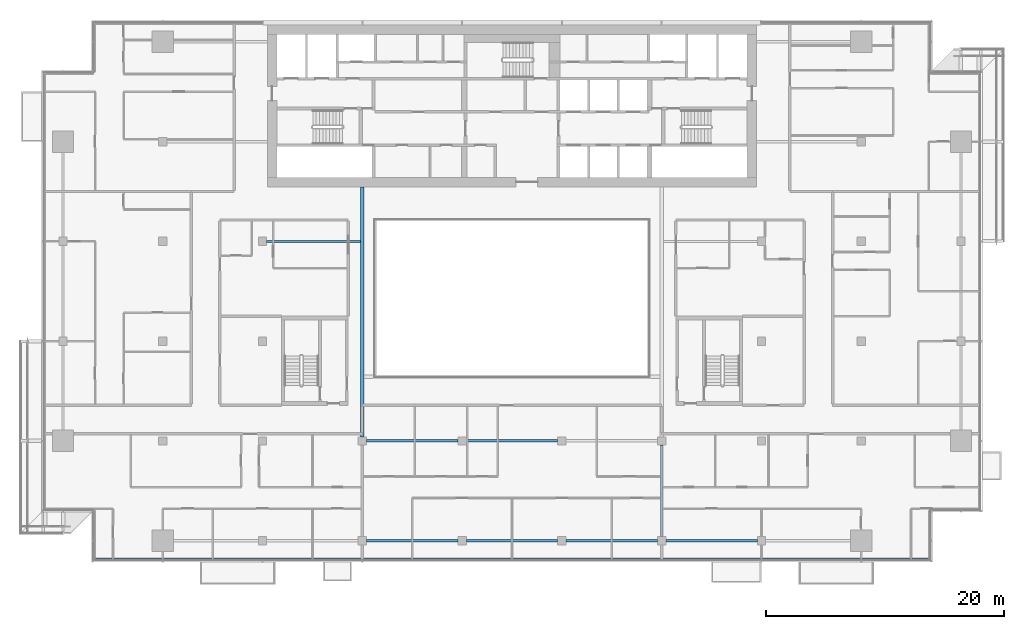
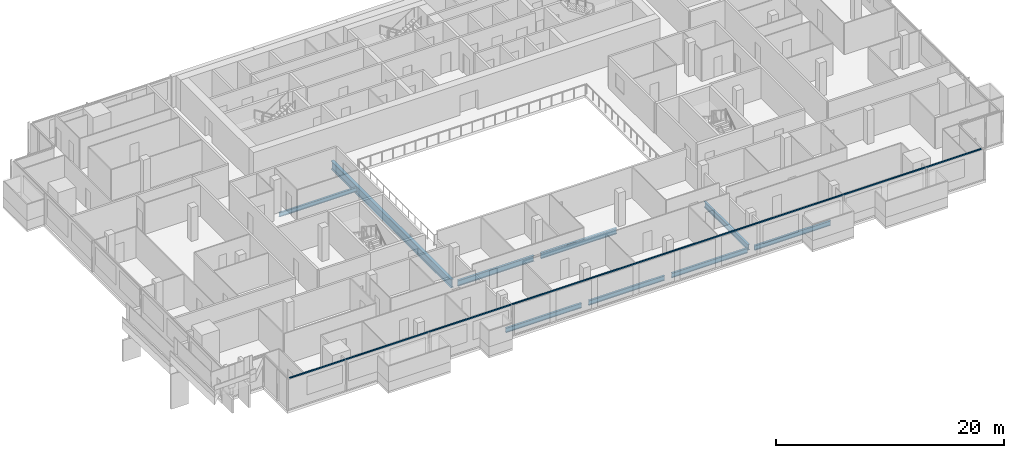
# One storey, part 5 of 30: 9 beams, 1 member, 1 element without a shape of its own.
"""IFC4 building model written with IfcOpenShell, lengths in metres."""

from ifc_helpers import new_model, si_unit, direction, frame, origin, origin_2d, place, context, subcontext, project, spatial, rectangle, i_section, extrude, material, material_profile, profile_set, type_object, element, aggregate, save


model = new_model("IFC4")

# Units and contexts
model_context = context("Model", 3, precision=1e-05, world=origin(), true_north=direction((0.0, 1.0)))
body_context = subcontext(model_context, "Body", "Model", "MODEL_VIEW")
ifc_project = project(units=[si_unit("LENGTHUNIT", "METRE"), si_unit("AREAUNIT", "SQUARE_METRE"), si_unit("VOLUMEUNIT", "CUBIC_METRE"), si_unit("PLANEANGLEUNIT", "RADIAN"), si_unit("MASSUNIT", "GRAM", prefix="KILO")], contexts=[model_context])

# Site, building, storey
site_placement = place(None, origin())
site = spatial("IfcSite", under=ifc_project, at=site_placement, CompositionType="ELEMENT")
building_placement = place(site_placement, origin())
building = spatial("IfcBuilding", under=site, at=building_placement, Name="Saffron Gate Tower", CompositionType="ELEMENT")
storey_placement = place(building_placement, frame((0.0, 0.0, 165.449951171875)))
storey = spatial("IfcBuildingStorey", under=building, at=storey_placement, Name="L40", CompositionType="ELEMENT", Elevation=165.449951171875)

# Beams
ifc_material_1 = material(Name="Structural steel S355", Category="steel")
ifc_material_profile_1 = material_profile(ifc_material_1, i_section(OverallWidth=0.199951171875, OverallDepth=0.5, WebThickness=0.01025390625, FlangeThickness=0.01611328125, FilletRadius=0.02099609375, at=origin_2d()))
ifc_profile_set_1 = profile_set([ifc_material_profile_1], Name="Structural steel S355")
beam_type_1 = type_object("IfcBeamType", Name="B11 IPE 500", PredefinedType="SPANDREL", material=ifc_profile_set_1)
for number, where, z_axis, x_axis, name in (
    (1, (75.35009765625, 31.800048828125, -0.530029296875), (1.0, 0.0, 0.0), (0.0, 1.0, 0.0), "B11 SPANDREL BEAM"),
    (2, (83.75, 31.800048828125, -0.530029296875), (1.0, 0.0, 0.0), (0.0, 1.0, 0.0), "B11 SPANDREL BEAM"),
):
    element("IfcBeam", number, at=place(storey_placement, frame(where, z_axis=z_axis, x_axis=x_axis)), inside=storey, type_object=beam_type_1, Name=name, PredefinedType="SPANDREL", context=body_context, shape_type="SweptSolid", body=[
        extrude(i_section(OverallWidth=0.199951171875, OverallDepth=0.5, WebThickness=0.01025390625, FlangeThickness=0.01611328125, FilletRadius=0.02099609375, at=origin_2d()), origin(), (0.0, 0.0, 1.0), 7.699951171875),
    ])
beam_1_placement = place(storey_placement, frame((92.14990234375, 31.800048828125, -0.530029296875), z_axis=(1.0, 0.0, 0.0), x_axis=(0.0, 1.0, 0.0)))
element("IfcBeam", 3, at=beam_1_placement, inside=storey, type_object=beam_type_1, Name="B11 SPANDREL BEAM", PredefinedType="SPANDREL", context=body_context, shape_type="SweptSolid", body=[
    extrude(i_section(OverallWidth=0.199951171875, OverallDepth=0.5, WebThickness=0.01025390625, FlangeThickness=0.01611328125, FilletRadius=0.02099609375, at=origin_2d()), origin(), (0.0, 0.0, 1.0), 7.7001953125),
])
beam_2_placement = place(storey_placement, frame((100.550048828125, 31.800048828125, -0.530029296875), z_axis=(1.0, 0.0, 0.0), x_axis=(0.0, 1.0, 0.0)))
element("IfcBeam", 4, at=beam_2_placement, inside=storey, type_object=beam_type_1, Name="B11 SPANDREL BEAM", PredefinedType="SPANDREL", context=body_context, shape_type="SweptSolid", body=[
    extrude(i_section(OverallWidth=0.199951171875, OverallDepth=0.5, WebThickness=0.01025390625, FlangeThickness=0.01611328125, FilletRadius=0.02099609375, at=origin_2d()), origin(), (0.0, 0.0, 1.0), 7.699951171875),
])
ifc_material_profile_2 = material_profile(ifc_material_1, i_section(OverallWidth=0.219970703125, OverallDepth=0.60009765625, WebThickness=0.011962890625, FlangeThickness=0.01904296875, FilletRadius=0.02392578125, at=origin_2d()))
ifc_profile_set_2 = profile_set([ifc_material_profile_2], Name="Structural steel S355")
beam_type_2 = type_object("IfcBeamType", Name="B15 IPE 600", PredefinedType="BEAM", material=ifc_profile_set_2)
beam_3_placement = place(storey_placement, frame((100.199951171875, 32.14990234375, -0.579833984375), z_axis=(0.0, 1.0, 0.0), x_axis=(-1.0, 0.0, 0.0)))
element("IfcBeam", 5, at=beam_3_placement, inside=storey, type_object=beam_type_2, Name="B15 FLOOR GIRDER", PredefinedType="BEAM", context=body_context, shape_type="SweptSolid", body=[
    extrude(i_section(OverallWidth=0.219970703125, OverallDepth=0.60009765625, WebThickness=0.011962890625, FlangeThickness=0.01904296875, FilletRadius=0.02392578125, at=origin_2d()), origin(), (0.0, 0.0, 1.0), 7.7001953125),
])
for number, where, z_axis, x_axis, name in (
    (6, (75.35009765625, 40.199951171875, -0.579833984375), (1.0, 0.0, 0.0), (0.0, 1.0, 0.0), "B15 FLOOR GIRDER"),
    (7, (83.75, 40.199951171875, -0.579833984375), (1.0, 0.0, 0.0), (0.0, 1.0, 0.0), "B15 FLOOR GIRDER"),
):
    element("IfcBeam", number, at=place(storey_placement, frame(where, z_axis=z_axis, x_axis=x_axis)), inside=storey, type_object=beam_type_2, Name=name, PredefinedType="BEAM", context=body_context, shape_type="SweptSolid", body=[
        extrude(i_section(OverallWidth=0.219970703125, OverallDepth=0.60009765625, WebThickness=0.011962890625, FlangeThickness=0.01904296875, FilletRadius=0.02392578125, at=origin_2d()), origin(), (0.0, 0.0, 1.0), 7.699951171875),
    ])
ifc_material_profile_3 = material_profile(ifc_material_1, i_section(OverallWidth=0.300048828125, OverallDepth=0.889892578125, WebThickness=0.01611328125, FlangeThickness=0.030029296875, FilletRadius=0.030029296875, at=origin_2d()))
ifc_profile_set_3 = profile_set([ifc_material_profile_3], Name="Structural steel S355")
beam_type_3 = type_object("IfcBeamType", Name="B19 HEA 900", PredefinedType="BEAM", material=ifc_profile_set_3)
beam_4_placement = place(storey_placement, frame((75.0, 40.550048828125, -0.724853515625), z_axis=(0.0, 1.0, 0.0), x_axis=(-1.0, 0.0, 0.0)))
element("IfcBeam", 8, at=beam_4_placement, inside=storey, type_object=beam_type_3, Name="B19 ATRIUM GIRDER", PredefinedType="BEAM", context=body_context, shape_type="SweptSolid", body=[
    extrude(i_section(OverallWidth=0.300048828125, OverallDepth=0.889892578125, WebThickness=0.01611328125, FlangeThickness=0.030029296875, FilletRadius=0.030029296875, at=origin_2d()), origin(), (0.0, 0.0, 1.0), 21.050048828125),
])
ifc_material_profile_4 = material_profile(ifc_material_1, i_section(OverallWidth=0.18994140625, OverallDepth=0.449951171875, WebThickness=0.009521484375, FlangeThickness=0.0146484375, FilletRadius=0.02099609375, at=origin_2d()))
ifc_profile_set_4 = profile_set([ifc_material_profile_4], Name="Structural steel S355")
beam_type_4 = type_object("IfcBeamType", Name="B6 IPE 450", PredefinedType="BEAM", material=ifc_profile_set_4)
beam_5_placement = place(storey_placement, frame((66.949951171875, 57.0, -0.5048828125), z_axis=(1.0, 0.0, 0.0), x_axis=(0.0, 1.0, 0.0)))
element("IfcBeam", 9, at=beam_5_placement, inside=storey, type_object=beam_type_4, Name="B6 CORE TIE BEAM", PredefinedType="BEAM", context=body_context, shape_type="SweptSolid", body=[
    extrude(i_section(OverallWidth=0.18994140625, OverallDepth=0.449951171875, WebThickness=0.009521484375, FlangeThickness=0.0146484375, FilletRadius=0.02099609375, at=origin_2d()), origin(), (0.0, 0.0, 1.0), 7.900146484375),
])

# Curtain wall, member
ifc_material_2 = material(Name="Aluminium, bronze anodised", Category="aluminium")
curtain_wall_type = type_object("IfcCurtainWallType", Name="CWS1 curtain wall front facade", PredefinedType="NOTDEFINED", material=ifc_material_2)
curtain_wall_placement = place(storey_placement, origin())
curtain_wall = element("IfcCurtainWall", 10, at=curtain_wall_placement, inside=storey, type_object=curtain_wall_type, Name="CWS1 run 1", PredefinedType="NOTDEFINED")
ifc_material_profile_5 = material_profile(ifc_material_2, rectangle(XDim=0.1201171875, YDim=0.1201171875, at=origin_2d()))
ifc_profile_set_5 = profile_set([ifc_material_profile_5], Name="Aluminium, bronze anodised")
member_type = type_object("IfcMemberType", Name="CWS1 head transom", PredefinedType="USERDEFINED", material=ifc_profile_set_5)
member_placement = place(storey_placement, frame((52.568115234375, 30.248046875, 3.260009765625), z_axis=(1.0, 0.0, 0.0), x_axis=(0.0, 1.0, 0.0)))
member = element("IfcMember", 11, at=member_placement, type_object=member_type, Name="CWS1 head transom", ObjectType="TRANSOM", PredefinedType="USERDEFINED", context=body_context, shape_type="SweptSolid", body=[
    extrude(rectangle(XDim=0.1201171875, YDim=0.1201171875, at=origin_2d()), origin(), (0.0, 0.0, 1.0), 70.06396484375),
])
aggregate(curtain_wall, [member])

save(model, "model.ifc")
